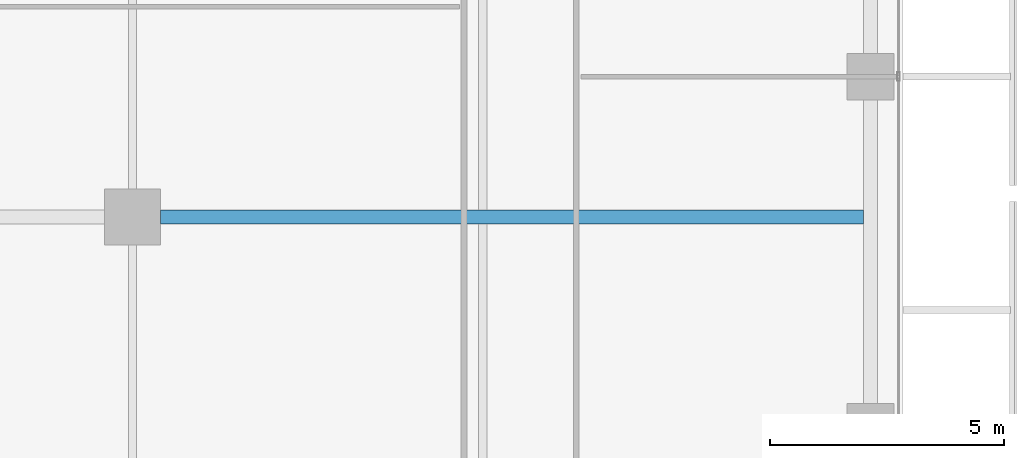
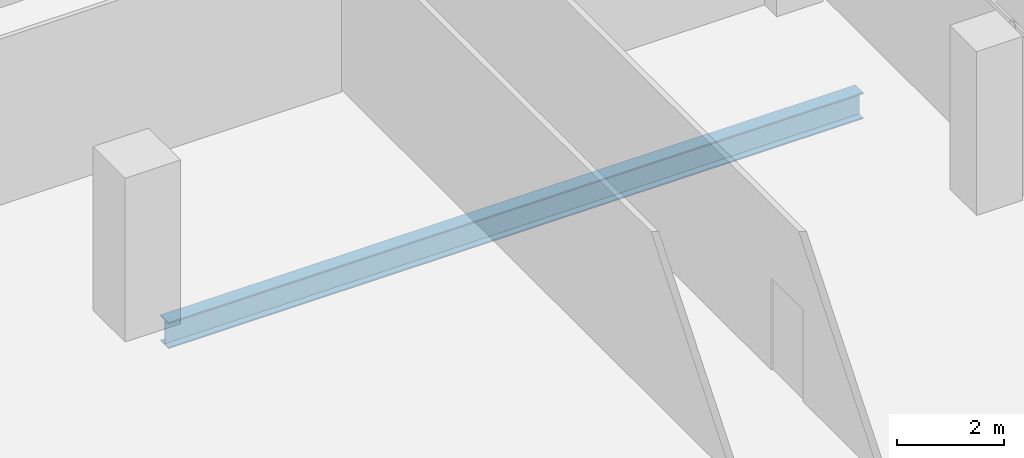
# One storey, part 15 of 38: 1 beam.
"""IFC4 building model written with IfcOpenShell, lengths in metres."""

from ifc_helpers import new_model, si_unit, direction, frame, origin, origin_2d, place, context, subcontext, project, spatial, i_section, extrude, source, transform, mapped, material, material_profile, profile_set, type_object, element, save


model = new_model("IFC4")

# Units and contexts
model_context = context("Model", 3, precision=1e-05, world=origin(), true_north=direction((0.0, 1.0)))
body_context = subcontext(model_context, "Body", "Model", "MODEL_VIEW")
ifc_project = project(units=[si_unit("LENGTHUNIT", "METRE"), si_unit("AREAUNIT", "SQUARE_METRE"), si_unit("VOLUMEUNIT", "CUBIC_METRE"), si_unit("PLANEANGLEUNIT", "RADIAN"), si_unit("MASSUNIT", "GRAM", prefix="KILO")], contexts=[model_context])

# Site, building, storey
site_placement = place(None, origin())
site = spatial("IfcSite", under=ifc_project, at=site_placement, CompositionType="ELEMENT")
building_placement = place(site_placement, origin())
building = spatial("IfcBuilding", under=site, at=building_placement, Name="Khomas Fold Tower", CompositionType="ELEMENT")
storey_placement = place(building_placement, frame((0.0, 0.0, 208.699951171875)))
storey = spatial("IfcBuildingStorey", under=building, at=storey_placement, Name="L46", CompositionType="ELEMENT", Elevation=208.699951171875)

# Beam
ifc_material = material(Name="Steel S355", Category="steel")
ifc_material_profile = material_profile(ifc_material, i_section(OverallWidth=0.300048828125, OverallDepth=0.60009765625, WebThickness=0.015380859375, FlangeThickness=0.030029296875, at=origin_2d()), Name="HE 600 B")
ifc_profile_set = profile_set([ifc_material_profile], Name="Steel S355")
beam_type = type_object("IfcBeamType", Name="HE 600 B beam GB5", PredefinedType="BEAM", material=ifc_profile_set)
shared_shape = source(origin(), body_context, "Body", "SweptSolid", [
    extrude(i_section(OverallWidth=0.300048828125, OverallDepth=0.60009765625, WebThickness=0.015380859375, FlangeThickness=0.030029296875, at=origin_2d()), origin(), (0.0, 0.0, 1.0), 15.0498046875),
])
beam_placement = place(storey_placement, frame((35.10009765625, 31.5, -0.550048828125), z_axis=(1.0, 0.0, 0.0), x_axis=(0.0, 1.0, 0.0)))
element("IfcBeam", 1, at=beam_placement, inside=storey, type_object=beam_type, Name="GB5", PredefinedType="BEAM", context=body_context, shape_type="MappedRepresentation", body=[
    mapped(shared_shape, transform((0.0, 0.0, 0.0))),
])

save(model, "model.ifc")
